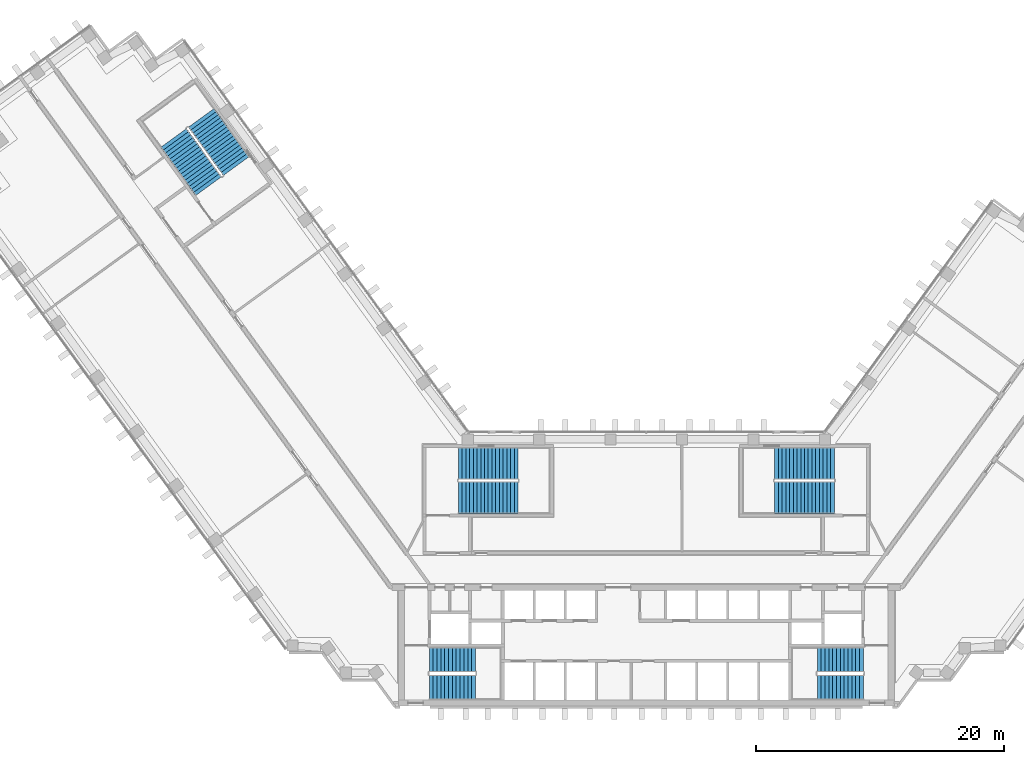
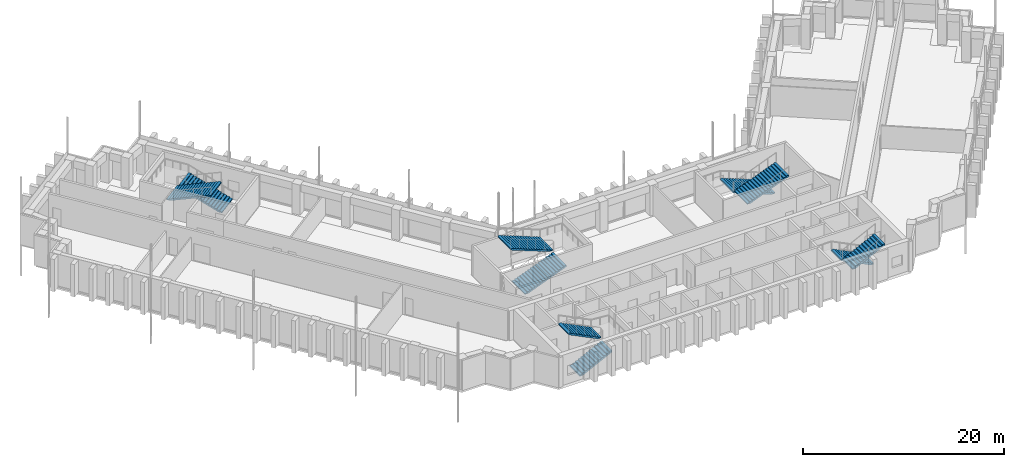
# One storey, part 14 of 16: 10 stair flights, 5 elements without a shape of their own.
"""IFC4 building model written with IfcOpenShell, lengths in metres."""

from ifc_helpers import new_model, si_unit, direction, frame, origin, place, context, subcontext, project, spatial, polyline, outline, extrude, material, type_object, element, aggregate, save


model = new_model("IFC4")

# Units and contexts
model_context = context("Model", 3, precision=1e-05, world=origin(), true_north=direction((0.0, 1.0)))
body_context = subcontext(model_context, "Body", "Model", "MODEL_VIEW")
ifc_project = project(units=[si_unit("LENGTHUNIT", "METRE"), si_unit("AREAUNIT", "SQUARE_METRE"), si_unit("VOLUMEUNIT", "CUBIC_METRE"), si_unit("PLANEANGLEUNIT", "RADIAN"), si_unit("MASSUNIT", "GRAM", prefix="KILO")], contexts=[model_context])

# Site, building, storey
site_placement = place(None, origin())
site = spatial("IfcSite", under=ifc_project, at=site_placement, CompositionType="ELEMENT")
building_placement = place(site_placement, origin())
building = spatial("IfcBuilding", under=site, at=building_placement, Name="Quipu Civic Tower", CompositionType="ELEMENT")
storey_placement = place(building_placement, frame((0.0, 0.0, 113.0)))
storey = spatial("IfcBuildingStorey", under=building, at=storey_placement, Name="L26", CompositionType="ELEMENT", Elevation=113.0)

# Stair, stair flights
ifc_material_1 = material(Name="Concrete C40/50", Category="concrete")
stair_type_1 = type_object("IfcStairType", Name="Half turn stair 2000", PredefinedType="HALF_TURN_STAIR", material=ifc_material_1)
stair_1_placement = place(storey_placement, origin())
stair_1 = element("IfcStair", 1, at=stair_1_placement, inside=storey, type_object=stair_type_1, Name="Exit stair 1", PredefinedType="HALF_TURN_STAIR")
ifc_material_2 = material(Name="Concrete C40/50", Category="concrete")
stair_flight_type_1 = type_object("IfcStairFlightType", Name="Stair flight 2000", PredefinedType="STRAIGHT", material=ifc_material_2)
stair_flight_1_placement = place(storey_placement, frame((-17.5, -9.5, 0.0), z_axis=(0.0, 0.0, 1.0), x_axis=(1.0, 0.0, 0.0)))
stair_flight_1 = element("IfcStairFlight", 2, at=stair_flight_1_placement, type_object=stair_flight_type_1, Name="ST-1 flight 1", NumberOfRisers=13, NumberOfTreads=12, PredefinedType="STRAIGHT", RiserHeight=0.153846154, TreadLength=0.31, context=body_context, shape_type="SweptSolid", body=[
    extrude(outline(polyline([(0.0, 0.0), (0.0, 0.15380859375), (0.31005859375, 0.15380859375), (0.31005859375, 0.3076171875), (0.6201171875, 0.3076171875), (0.6201171875, 0.46142578125), (0.929931640625, 0.46142578125), (0.929931640625, 0.615478515625), (1.239990234375, 0.615478515625), (1.239990234375, 0.769287109375), (1.550048828125, 0.769287109375), (1.550048828125, 0.923095703125), (1.860107421875, 0.923095703125), (1.860107421875, 1.076904296875), (2.169921875, 1.076904296875), (2.169921875, 1.230712890625), (2.47998046875, 1.230712890625), (2.47998046875, 1.384521484375), (2.7900390625, 1.384521484375), (2.7900390625, 1.53857421875), (3.10009765625, 1.53857421875), (3.10009765625, 1.6923828125), (3.409912109375, 1.6923828125), (3.409912109375, 1.84619140625), (3.719970703125, 1.84619140625), (3.719970703125, 2.0), (3.719970703125, 1.6787109375), (0.337158203125, 0.0), (0.0, 0.0)])), frame((0.0, 1.0, 0.0), z_axis=(0.0, -1.0, 0.0), x_axis=(1.0, 0.0, 0.0)), (0.0, 0.0, 1.0), 2.0),
])
stair_flight_2_placement = place(storey_placement, frame((-13.780029296875, -7.25, 2.0), z_axis=(0.0, 0.0, 1.0), x_axis=(-1.0, 0.0, 0.0)))
stair_flight_2 = element("IfcStairFlight", 3, at=stair_flight_2_placement, type_object=stair_flight_type_1, Name="ST-1 flight 2", NumberOfRisers=13, NumberOfTreads=12, PredefinedType="STRAIGHT", RiserHeight=0.153846154, TreadLength=0.31, context=body_context, shape_type="SweptSolid", body=[
    extrude(outline(polyline([(0.0, 0.0), (0.0, 0.15380859375), (0.31005859375, 0.15380859375), (0.31005859375, 0.3076171875), (0.6201171875, 0.3076171875), (0.6201171875, 0.46142578125), (0.929931640625, 0.46142578125), (0.929931640625, 0.615478515625), (1.239990234375, 0.615478515625), (1.239990234375, 0.769287109375), (1.550048828125, 0.769287109375), (1.550048828125, 0.923095703125), (1.860107421875, 0.923095703125), (1.860107421875, 1.076904296875), (2.169921875, 1.076904296875), (2.169921875, 1.230712890625), (2.47998046875, 1.230712890625), (2.47998046875, 1.384521484375), (2.7900390625, 1.384521484375), (2.7900390625, 1.53857421875), (3.10009765625, 1.53857421875), (3.10009765625, 1.6923828125), (3.409912109375, 1.6923828125), (3.409912109375, 1.84619140625), (3.719970703125, 1.84619140625), (3.719970703125, 2.0), (3.719970703125, 1.6787109375), (0.337158203125, 0.0), (0.0, 0.0)])), frame((0.0, 1.0, 0.0), z_axis=(0.0, -1.0, 0.0), x_axis=(1.0, 0.0, 0.0)), (0.0, 0.0, 1.0), 2.0),
])
aggregate(stair_1, [stair_flight_1, stair_flight_2])

stair_2_placement = place(storey_placement, origin())
stair_2 = element("IfcStair", 4, at=stair_2_placement, inside=storey, type_object=stair_type_1, Name="Exit stair 2", PredefinedType="HALF_TURN_STAIR")
stair_flight_3_placement = place(storey_placement, frame((17.5, -7.25, 0.0), z_axis=(0.0, 0.0, 1.0), x_axis=(-1.0, 0.0, 0.0)))
stair_flight_3 = element("IfcStairFlight", 5, at=stair_flight_3_placement, type_object=stair_flight_type_1, Name="ST-2 flight 1", NumberOfRisers=13, NumberOfTreads=12, PredefinedType="STRAIGHT", RiserHeight=0.153846154, TreadLength=0.31, context=body_context, shape_type="SweptSolid", body=[
    extrude(outline(polyline([(0.0, 0.0), (0.0, 0.15380859375), (0.31005859375, 0.15380859375), (0.31005859375, 0.3076171875), (0.6201171875, 0.3076171875), (0.6201171875, 0.46142578125), (0.929931640625, 0.46142578125), (0.929931640625, 0.615478515625), (1.239990234375, 0.615478515625), (1.239990234375, 0.769287109375), (1.550048828125, 0.769287109375), (1.550048828125, 0.923095703125), (1.860107421875, 0.923095703125), (1.860107421875, 1.076904296875), (2.169921875, 1.076904296875), (2.169921875, 1.230712890625), (2.47998046875, 1.230712890625), (2.47998046875, 1.384521484375), (2.7900390625, 1.384521484375), (2.7900390625, 1.53857421875), (3.10009765625, 1.53857421875), (3.10009765625, 1.6923828125), (3.409912109375, 1.6923828125), (3.409912109375, 1.84619140625), (3.719970703125, 1.84619140625), (3.719970703125, 2.0), (3.719970703125, 1.6787109375), (0.337158203125, 0.0), (0.0, 0.0)])), frame((0.0, 1.0, 0.0), z_axis=(0.0, -1.0, 0.0), x_axis=(1.0, 0.0, 0.0)), (0.0, 0.0, 1.0), 2.0),
])
stair_flight_4_placement = place(storey_placement, frame((13.780029296875, -9.5, 2.0), z_axis=(0.0, 0.0, 1.0), x_axis=(1.0, 0.0, 0.0)))
stair_flight_4 = element("IfcStairFlight", 6, at=stair_flight_4_placement, type_object=stair_flight_type_1, Name="ST-2 flight 2", NumberOfRisers=13, NumberOfTreads=12, PredefinedType="STRAIGHT", RiserHeight=0.153846154, TreadLength=0.31, context=body_context, shape_type="SweptSolid", body=[
    extrude(outline(polyline([(0.0, 0.0), (0.0, 0.15380859375), (0.31005859375, 0.15380859375), (0.31005859375, 0.3076171875), (0.6201171875, 0.3076171875), (0.6201171875, 0.46142578125), (0.929931640625, 0.46142578125), (0.929931640625, 0.615478515625), (1.239990234375, 0.615478515625), (1.239990234375, 0.769287109375), (1.550048828125, 0.769287109375), (1.550048828125, 0.923095703125), (1.860107421875, 0.923095703125), (1.860107421875, 1.076904296875), (2.169921875, 1.076904296875), (2.169921875, 1.230712890625), (2.47998046875, 1.230712890625), (2.47998046875, 1.384521484375), (2.7900390625, 1.384521484375), (2.7900390625, 1.53857421875), (3.10009765625, 1.53857421875), (3.10009765625, 1.6923828125), (3.409912109375, 1.6923828125), (3.409912109375, 1.84619140625), (3.719970703125, 1.84619140625), (3.719970703125, 2.0), (3.719970703125, 1.6787109375), (0.337158203125, 0.0), (0.0, 0.0)])), frame((0.0, 1.0, 0.0), z_axis=(0.0, -1.0, 0.0), x_axis=(1.0, 0.0, 0.0)), (0.0, 0.0, 1.0), 2.0),
])
aggregate(stair_2, [stair_flight_3, stair_flight_4])

ifc_material_3 = material(Name="Concrete C40/50", Category="concrete")
stair_type_2 = type_object("IfcStairType", Name="Half turn stair 2600", PredefinedType="HALF_TURN_STAIR", material=ifc_material_3)
stair_3_placement = place(storey_placement, origin())
stair_3 = element("IfcStair", 7, at=stair_3_placement, inside=storey, type_object=stair_type_2, Name="Exit stair 3", PredefinedType="HALF_TURN_STAIR")
ifc_material_4 = material(Name="Concrete C40/50", Category="concrete")
stair_flight_type_2 = type_object("IfcStairFlightType", Name="Stair flight 2600", PredefinedType="STRAIGHT", material=ifc_material_4)
stair_flight_5_placement = place(storey_placement, frame((-15.14990234375, 5.800048828125, 0.0), z_axis=(0.0, 0.0, 1.0), x_axis=(1.0, 0.0, 0.0)))
stair_flight_5 = element("IfcStairFlight", 8, at=stair_flight_5_placement, type_object=stair_flight_type_2, Name="ST-3 flight 1", NumberOfRisers=17, NumberOfTreads=16, PredefinedType="STRAIGHT", RiserHeight=0.117647059, TreadLength=0.3, context=body_context, shape_type="SweptSolid", body=[
    extrude(outline(polyline([(0.0, 0.0), (0.0, 0.11767578125), (0.300048828125, 0.11767578125), (0.300048828125, 0.2353515625), (0.60009765625, 0.2353515625), (0.60009765625, 0.35302734375), (0.89990234375, 0.35302734375), (0.89990234375, 0.470703125), (1.199951171875, 0.470703125), (1.199951171875, 0.588134765625), (1.5, 0.588134765625), (1.5, 0.705810546875), (1.800048828125, 0.705810546875), (1.800048828125, 0.823486328125), (2.10009765625, 0.823486328125), (2.10009765625, 0.941162109375), (2.39990234375, 0.941162109375), (2.39990234375, 1.058837890625), (2.699951171875, 1.058837890625), (2.699951171875, 1.176513671875), (3.0, 1.176513671875), (3.0, 1.294189453125), (3.300048828125, 1.294189453125), (3.300048828125, 1.411865234375), (3.60009765625, 1.411865234375), (3.60009765625, 1.529296875), (3.89990234375, 1.529296875), (3.89990234375, 1.64697265625), (4.199951171875, 1.64697265625), (4.199951171875, 1.7646484375), (4.5, 1.7646484375), (4.5, 1.88232421875), (4.800048828125, 1.88232421875), (4.800048828125, 2.0), (4.800048828125, 1.721435546875), (0.41064453125, 0.0), (0.0, 0.0)])), frame((0.0, 1.300048828125, 0.0), z_axis=(0.0, -1.0, 0.0), x_axis=(1.0, 0.0, 0.0)), (0.0, 0.0, 1.0), 2.60009765625),
])
stair_flight_6_placement = place(storey_placement, frame((-10.35009765625, 8.550048828125, 2.0), z_axis=(0.0, 0.0, 1.0), x_axis=(-1.0, 0.0, 0.0)))
stair_flight_6 = element("IfcStairFlight", 9, at=stair_flight_6_placement, type_object=stair_flight_type_2, Name="ST-3 flight 2", NumberOfRisers=17, NumberOfTreads=16, PredefinedType="STRAIGHT", RiserHeight=0.117647059, TreadLength=0.3, context=body_context, shape_type="SweptSolid", body=[
    extrude(outline(polyline([(0.0, 0.0), (0.0, 0.11767578125), (0.300048828125, 0.11767578125), (0.300048828125, 0.2353515625), (0.60009765625, 0.2353515625), (0.60009765625, 0.35302734375), (0.89990234375, 0.35302734375), (0.89990234375, 0.470703125), (1.199951171875, 0.470703125), (1.199951171875, 0.588134765625), (1.5, 0.588134765625), (1.5, 0.705810546875), (1.800048828125, 0.705810546875), (1.800048828125, 0.823486328125), (2.10009765625, 0.823486328125), (2.10009765625, 0.941162109375), (2.39990234375, 0.941162109375), (2.39990234375, 1.058837890625), (2.699951171875, 1.058837890625), (2.699951171875, 1.176513671875), (3.0, 1.176513671875), (3.0, 1.294189453125), (3.300048828125, 1.294189453125), (3.300048828125, 1.411865234375), (3.60009765625, 1.411865234375), (3.60009765625, 1.529296875), (3.89990234375, 1.529296875), (3.89990234375, 1.64697265625), (4.199951171875, 1.64697265625), (4.199951171875, 1.7646484375), (4.5, 1.7646484375), (4.5, 1.88232421875), (4.800048828125, 1.88232421875), (4.800048828125, 2.0), (4.800048828125, 1.721435546875), (0.41064453125, 0.0), (0.0, 0.0)])), frame((0.0, 1.300048828125, 0.0), z_axis=(0.0, -1.0, 0.0), x_axis=(1.0, 0.0, 0.0)), (0.0, 0.0, 1.0), 2.60009765625),
])
aggregate(stair_3, [stair_flight_5, stair_flight_6])

stair_4_placement = place(storey_placement, origin())
stair_4 = element("IfcStair", 10, at=stair_4_placement, inside=storey, type_object=stair_type_2, Name="Exit stair 4", PredefinedType="HALF_TURN_STAIR")
stair_flight_7_placement = place(storey_placement, frame((15.14990234375, 8.550048828125, 0.0), z_axis=(0.0, 0.0, 1.0), x_axis=(-1.0, 0.0, 0.0)))
stair_flight_7 = element("IfcStairFlight", 11, at=stair_flight_7_placement, type_object=stair_flight_type_2, Name="ST-4 flight 1", NumberOfRisers=17, NumberOfTreads=16, PredefinedType="STRAIGHT", RiserHeight=0.117647059, TreadLength=0.3, context=body_context, shape_type="SweptSolid", body=[
    extrude(outline(polyline([(0.0, 0.0), (0.0, 0.11767578125), (0.300048828125, 0.11767578125), (0.300048828125, 0.2353515625), (0.60009765625, 0.2353515625), (0.60009765625, 0.35302734375), (0.89990234375, 0.35302734375), (0.89990234375, 0.470703125), (1.199951171875, 0.470703125), (1.199951171875, 0.588134765625), (1.5, 0.588134765625), (1.5, 0.705810546875), (1.800048828125, 0.705810546875), (1.800048828125, 0.823486328125), (2.10009765625, 0.823486328125), (2.10009765625, 0.941162109375), (2.39990234375, 0.941162109375), (2.39990234375, 1.058837890625), (2.699951171875, 1.058837890625), (2.699951171875, 1.176513671875), (3.0, 1.176513671875), (3.0, 1.294189453125), (3.300048828125, 1.294189453125), (3.300048828125, 1.411865234375), (3.60009765625, 1.411865234375), (3.60009765625, 1.529296875), (3.89990234375, 1.529296875), (3.89990234375, 1.64697265625), (4.199951171875, 1.64697265625), (4.199951171875, 1.7646484375), (4.5, 1.7646484375), (4.5, 1.88232421875), (4.800048828125, 1.88232421875), (4.800048828125, 2.0), (4.800048828125, 1.721435546875), (0.41064453125, 0.0), (0.0, 0.0)])), frame((0.0, 1.300048828125, 0.0), z_axis=(0.0, -1.0, 0.0), x_axis=(1.0, 0.0, 0.0)), (0.0, 0.0, 1.0), 2.60009765625),
])
stair_flight_8_placement = place(storey_placement, frame((10.35009765625, 5.800048828125, 2.0), z_axis=(0.0, 0.0, 1.0), x_axis=(1.0, 0.0, 0.0)))
stair_flight_8 = element("IfcStairFlight", 12, at=stair_flight_8_placement, type_object=stair_flight_type_2, Name="ST-4 flight 2", NumberOfRisers=17, NumberOfTreads=16, PredefinedType="STRAIGHT", RiserHeight=0.117647059, TreadLength=0.3, context=body_context, shape_type="SweptSolid", body=[
    extrude(outline(polyline([(0.0, 0.0), (0.0, 0.11767578125), (0.300048828125, 0.11767578125), (0.300048828125, 0.2353515625), (0.60009765625, 0.2353515625), (0.60009765625, 0.35302734375), (0.89990234375, 0.35302734375), (0.89990234375, 0.470703125), (1.199951171875, 0.470703125), (1.199951171875, 0.588134765625), (1.5, 0.588134765625), (1.5, 0.705810546875), (1.800048828125, 0.705810546875), (1.800048828125, 0.823486328125), (2.10009765625, 0.823486328125), (2.10009765625, 0.941162109375), (2.39990234375, 0.941162109375), (2.39990234375, 1.058837890625), (2.699951171875, 1.058837890625), (2.699951171875, 1.176513671875), (3.0, 1.176513671875), (3.0, 1.294189453125), (3.300048828125, 1.294189453125), (3.300048828125, 1.411865234375), (3.60009765625, 1.411865234375), (3.60009765625, 1.529296875), (3.89990234375, 1.529296875), (3.89990234375, 1.64697265625), (4.199951171875, 1.64697265625), (4.199951171875, 1.7646484375), (4.5, 1.7646484375), (4.5, 1.88232421875), (4.800048828125, 1.88232421875), (4.800048828125, 2.0), (4.800048828125, 1.721435546875), (0.41064453125, 0.0), (0.0, 0.0)])), frame((0.0, 1.300048828125, 0.0), z_axis=(0.0, -1.0, 0.0), x_axis=(1.0, 0.0, 0.0)), (0.0, 0.0, 1.0), 2.60009765625),
])
aggregate(stair_4, [stair_flight_7, stair_flight_8])

stair_5_placement = place(storey_placement, origin())
stair_5 = element("IfcStair", 13, at=stair_5_placement, inside=storey, type_object=stair_type_2, Name="Exit stair 6", PredefinedType="HALF_TURN_STAIR")
stair_flight_9_placement = place(storey_placement, frame((-33.067626953125, 32.5322265625, 0.0), z_axis=(0.0, 0.0, 1.0), x_axis=(-0.587785252292, 0.809016994375, 0.0)))
stair_flight_9 = element("IfcStairFlight", 14, at=stair_flight_9_placement, type_object=stair_flight_type_2, Name="ST-6 flight 1", NumberOfRisers=17, NumberOfTreads=16, PredefinedType="STRAIGHT", RiserHeight=0.117647059, TreadLength=0.3, context=body_context, shape_type="SweptSolid", body=[
    extrude(outline(polyline([(0.0, 0.0), (0.0, 0.11767578125), (0.300048828125, 0.11767578125), (0.300048828125, 0.2353515625), (0.60009765625, 0.2353515625), (0.60009765625, 0.35302734375), (0.89990234375, 0.35302734375), (0.89990234375, 0.470703125), (1.199951171875, 0.470703125), (1.199951171875, 0.588134765625), (1.5, 0.588134765625), (1.5, 0.705810546875), (1.800048828125, 0.705810546875), (1.800048828125, 0.823486328125), (2.10009765625, 0.823486328125), (2.10009765625, 0.941162109375), (2.39990234375, 0.941162109375), (2.39990234375, 1.058837890625), (2.699951171875, 1.058837890625), (2.699951171875, 1.176513671875), (3.0, 1.176513671875), (3.0, 1.294189453125), (3.300048828125, 1.294189453125), (3.300048828125, 1.411865234375), (3.60009765625, 1.411865234375), (3.60009765625, 1.529296875), (3.89990234375, 1.529296875), (3.89990234375, 1.64697265625), (4.199951171875, 1.64697265625), (4.199951171875, 1.7646484375), (4.5, 1.7646484375), (4.5, 1.88232421875), (4.800048828125, 1.88232421875), (4.800048828125, 2.0), (4.800048828125, 1.721435546875), (0.41064453125, 0.0), (0.0, 0.0)])), frame((0.0, 1.300048828125, 0.0), z_axis=(0.0, -1.0, 0.0), x_axis=(1.0, 0.0, 0.0)), (0.0, 0.0, 1.0), 2.60009765625),
])
stair_flight_10_placement = place(storey_placement, frame((-38.11376953125, 34.799072265625, 2.0), z_axis=(0.0, 0.0, 1.0), x_axis=(0.587785252292, -0.809016994375, 0.0)))
stair_flight_10 = element("IfcStairFlight", 15, at=stair_flight_10_placement, type_object=stair_flight_type_2, Name="ST-6 flight 2", NumberOfRisers=17, NumberOfTreads=16, PredefinedType="STRAIGHT", RiserHeight=0.117647059, TreadLength=0.3, context=body_context, shape_type="SweptSolid", body=[
    extrude(outline(polyline([(0.0, 0.0), (0.0, 0.11767578125), (0.300048828125, 0.11767578125), (0.300048828125, 0.2353515625), (0.60009765625, 0.2353515625), (0.60009765625, 0.35302734375), (0.89990234375, 0.35302734375), (0.89990234375, 0.470703125), (1.199951171875, 0.470703125), (1.199951171875, 0.588134765625), (1.5, 0.588134765625), (1.5, 0.705810546875), (1.800048828125, 0.705810546875), (1.800048828125, 0.823486328125), (2.10009765625, 0.823486328125), (2.10009765625, 0.941162109375), (2.39990234375, 0.941162109375), (2.39990234375, 1.058837890625), (2.699951171875, 1.058837890625), (2.699951171875, 1.176513671875), (3.0, 1.176513671875), (3.0, 1.294189453125), (3.300048828125, 1.294189453125), (3.300048828125, 1.411865234375), (3.60009765625, 1.411865234375), (3.60009765625, 1.529296875), (3.89990234375, 1.529296875), (3.89990234375, 1.64697265625), (4.199951171875, 1.64697265625), (4.199951171875, 1.7646484375), (4.5, 1.7646484375), (4.5, 1.88232421875), (4.800048828125, 1.88232421875), (4.800048828125, 2.0), (4.800048828125, 1.721435546875), (0.41064453125, 0.0), (0.0, 0.0)])), frame((0.0, 1.300048828125, 0.0), z_axis=(0.0, -1.0, 0.0), x_axis=(1.0, 0.0, 0.0)), (0.0, 0.0, 1.0), 2.60009765625),
])
aggregate(stair_5, [stair_flight_9, stair_flight_10])

save(model, "model.ifc")
